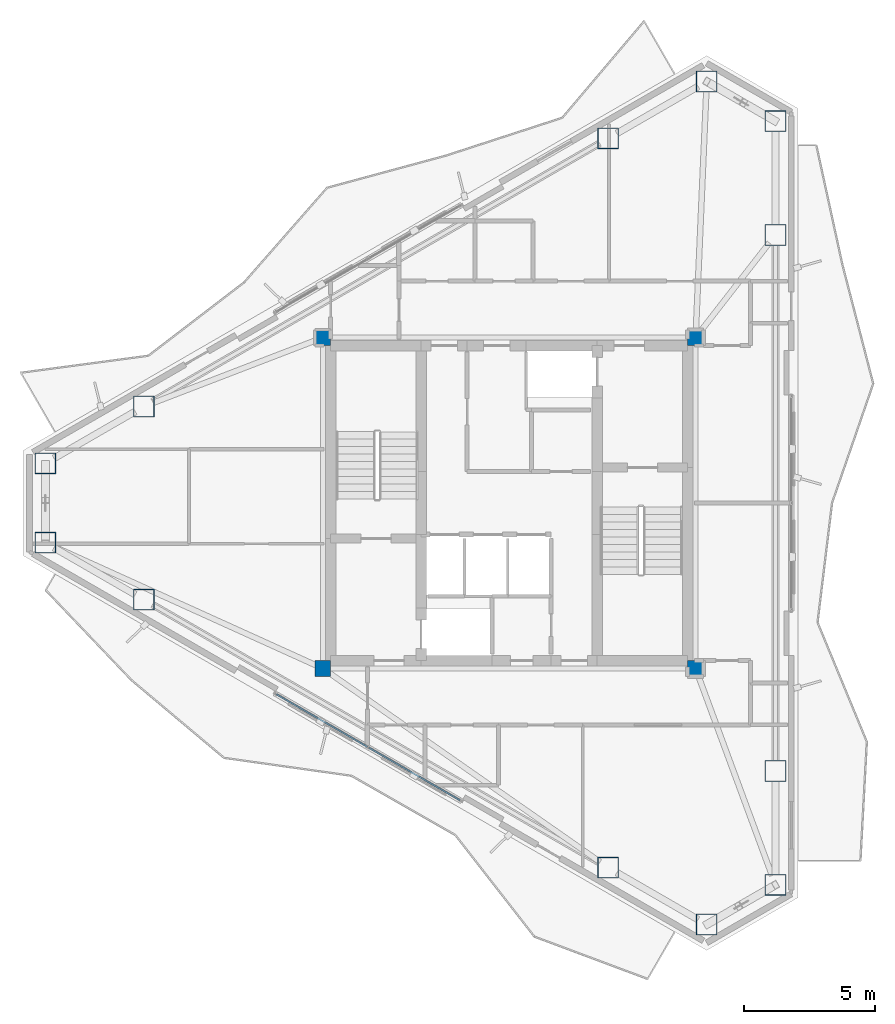
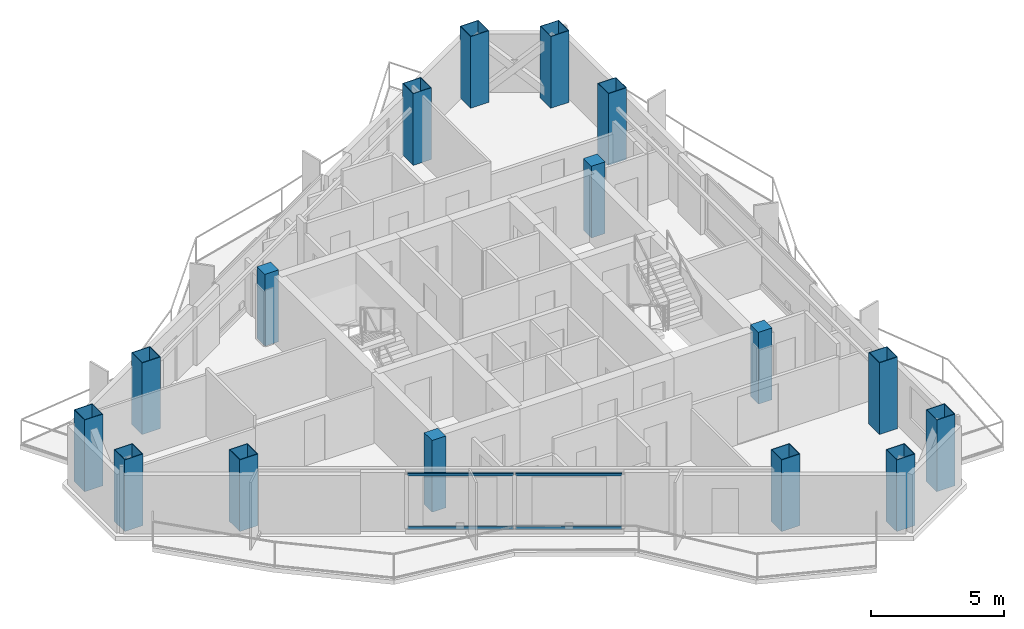
# One storey, part 1 of 18: 16 columns, 4 members, 1 element without a shape of its own.
"""IFC4 building model written with IfcOpenShell, lengths in metres."""

from ifc_helpers import new_model, si_unit, direction, frame, origin, origin_2d, place, context, subcontext, project, spatial, rectangle, hollow_rectangle, extrude, material, layer, layer_set, material_profile, profile_set, type_object, element, aggregate, save


model = new_model("IFC4")

# Units and contexts
model_context = context("Model", 3, precision=1e-05, world=origin(), true_north=direction((0.0, 1.0)))
body_context = subcontext(model_context, "Body", "Model", "MODEL_VIEW")
ifc_project = project(units=[si_unit("LENGTHUNIT", "METRE"), si_unit("AREAUNIT", "SQUARE_METRE"), si_unit("VOLUMEUNIT", "CUBIC_METRE"), si_unit("PLANEANGLEUNIT", "RADIAN"), si_unit("MASSUNIT", "GRAM", prefix="KILO")], contexts=[model_context])

# Site, building, storey
site_placement = place(None, origin())
site = spatial("IfcSite", under=ifc_project, at=site_placement, CompositionType="ELEMENT")
building_placement = place(site_placement, origin())
building = spatial("IfcBuilding", under=site, at=building_placement, Name="Mersakhor Tower and Convention Hall", CompositionType="ELEMENT")
storey_placement = place(building_placement, frame((0.0, 0.0, 239.699951171875)))
storey = spatial("IfcBuildingStorey", under=building, at=storey_placement, Name="L67", CompositionType="ELEMENT", Elevation=239.699951171875)

# Columns
ifc_material_1 = material(Name="Concrete C50/60 in S460M steel box", Category="concrete")
ifc_material_profile_1 = material_profile(ifc_material_1, hollow_rectangle(XDim=0.800048828125, YDim=0.800048828125, WallThickness=0.02490234375, at=origin_2d()), Name="SHS 800x800x25")
ifc_profile_set_1 = profile_set([ifc_material_profile_1], Name="Concrete C50/60 in S460M steel box")
column_type_1 = type_object("IfcColumnType", Name="COL-CFT-800", PredefinedType="COLUMN", material=ifc_profile_set_1)
for number, where, z_axis, x_axis, name in (
    (1, (11.33203125, 28.26123046875, 0.0), (0.0, 0.0, 1.0), (1.0, 0.0, 0.0), "L67 Perimeter Mega-Column MC-01"),
    (2, (15.085693359375, 30.428466796875, 0.0), (0.0, 0.0, 1.0), (1.0, 0.0, 0.0), "L67 Perimeter Mega-Column MC-02"),
    (3, (32.771484375, 40.639404296875, 0.0), (0.0, 0.0, 1.0), (1.0, 0.0, 0.0), "L67 Perimeter Mega-Column MC-03"),
    (4, (36.525146484375, 42.806640625, 0.0), (0.0, 0.0, 1.0), (1.0, 0.0, 0.0), "L67 Perimeter Mega-Column MC-04"),
    (5, (39.142822265625, 41.29541015625, 0.0), (0.0, 0.0, 1.0), (1.0, 0.0, 0.0), "L67 Perimeter Mega-Column MC-05"),
    (6, (39.142822265625, 36.960693359375, 0.0), (0.0, 0.0, 1.0), (1.0, 0.0, 0.0), "L67 Perimeter Mega-Column MC-06"),
    (7, (39.142822265625, 16.539306640625, 0.0), (0.0, 0.0, 1.0), (1.0, 0.0, 0.0), "L67 Perimeter Mega-Column MC-07"),
    (8, (39.142822265625, 12.20458984375, 0.0), (0.0, 0.0, 1.0), (1.0, 0.0, 0.0), "L67 Perimeter Mega-Column MC-08"),
    (9, (36.525146484375, 10.693359375, 0.0), (0.0, 0.0, 1.0), (1.0, 0.0, 0.0), "L67 Perimeter Mega-Column MC-09"),
    (10, (32.771484375, 12.860595703125, 0.0), (0.0, 0.0, 1.0), (1.0, 0.0, 0.0), "L67 Perimeter Mega-Column MC-10"),
    (11, (15.085693359375, 23.071533203125, 0.0), (0.0, 0.0, 1.0), (1.0, 0.0, 0.0), "L67 Perimeter Mega-Column MC-11"),
    (12, (11.33203125, 25.23876953125, 0.0), (0.0, 0.0, 1.0), (1.0, 0.0, 0.0), "L67 Perimeter Mega-Column MC-12"),
):
    element("IfcColumn", number, at=place(storey_placement, frame(where, z_axis=z_axis, x_axis=x_axis)), inside=storey, type_object=column_type_1, Name=name, PredefinedType="COLUMN", context=body_context, shape_type="SweptSolid", body=[
        extrude(hollow_rectangle(XDim=0.800048828125, YDim=0.800048828125, WallThickness=0.02490234375, at=origin_2d()), origin(), (0.0, 0.0, 1.0), 3.300048828125),
    ])
ifc_material_2 = material(Name="Concrete C50/60", Category="concrete")
ifc_material_profile_2 = material_profile(ifc_material_2, rectangle(XDim=0.60009765625, YDim=0.60009765625, at=origin_2d()), Name="RC 600x600")
ifc_profile_set_2 = profile_set([ifc_material_profile_2], Name="Concrete C50/60")
column_type_2 = type_object("IfcColumnType", Name="COL-RC-600", PredefinedType="COLUMN", material=ifc_profile_set_2)
for number, where, z_axis, x_axis, name in (
    (13, (21.89990234375, 20.449951171875, 0.0), (0.0, 0.0, 1.0), (1.0, 0.0, 0.0), "L67 Core Corner Column CC-1"),
    (14, (21.89990234375, 33.050048828125, 0.0), (0.0, 0.0, 1.0), (1.0, 0.0, 0.0), "L67 Core Corner Column CC-2"),
    (15, (36.10009765625, 33.050048828125, 0.0), (0.0, 0.0, 1.0), (1.0, 0.0, 0.0), "L67 Core Corner Column CC-3"),
    (16, (36.10009765625, 20.449951171875, 0.0), (0.0, 0.0, 1.0), (1.0, 0.0, 0.0), "L67 Core Corner Column CC-4"),
):
    element("IfcColumn", number, at=place(storey_placement, frame(where, z_axis=z_axis, x_axis=x_axis)), inside=storey, type_object=column_type_2, Name=name, PredefinedType="COLUMN", context=body_context, shape_type="SweptSolid", body=[
        extrude(rectangle(XDim=0.60009765625, YDim=0.60009765625, at=origin_2d()), origin(), (0.0, 0.0, 1.0), 3.300048828125),
    ])

# Curtain wall, members
ifc_material_3 = material(Name="Dark solar low-E aluminium curtain wall", Category="aluminium")
ifc_layer = layer(ifc_material_3, 0.179931640625)
ifc_layer_set = layer_set([ifc_layer], Name="Dark solar low-E aluminium curtain wall")
curtain_wall_type = type_object("IfcCurtainWallType", Name="CW-SYS-03", PredefinedType="USERDEFINED", material=ifc_layer_set)
curtain_wall_placement = place(storey_placement, origin())
curtain_wall = element("IfcCurtainWall", 17, at=curtain_wall_placement, inside=storey, type_object=curtain_wall_type, Name="L67 Dark-Glass Curtain Wall F3-B2", ObjectType="CURTAIN WALL", PredefinedType="USERDEFINED")
ifc_material_4 = material(Name="Anodised aluminium EN AW-6063 T6", Category="aluminium")
ifc_material_profile_3 = material_profile(ifc_material_4, hollow_rectangle(XDim=0.06005859375, YDim=0.1201171875, WallThickness=0.0048828125, at=origin_2d()), Name="RHS 120x60x5")
ifc_profile_set_3 = profile_set([ifc_material_profile_3], Name="Anodised aluminium EN AW-6063 T6")
member_type = type_object("IfcMemberType", Name="CWT-120x60", PredefinedType="USERDEFINED", material=ifc_profile_set_3)
member_1_placement = place(storey_placement, frame((27.12646484375, 15.427001953125, 0.22998046875), z_axis=(-0.866023018642, 0.500004131166, 0.0), x_axis=(-0.500004131166, -0.866023018642, 0.0)))
member_1 = element("IfcMember", 18, at=member_1_placement, type_object=member_type, Name="CW-03 transom 1.1", ObjectType="TRANSOM", PredefinedType="USERDEFINED", context=body_context, shape_type="SweptSolid", body=[
    extrude(hollow_rectangle(XDim=0.06005859375, YDim=0.1201171875, WallThickness=0.0048828125, at=origin_2d()), origin(), (0.0, 0.0, 1.0), 4.00146484375),
])
member_2_placement = place(storey_placement, frame((27.12646484375, 15.427001953125, 2.670166015625), z_axis=(-0.866023018642, 0.500004131166, 0.0), x_axis=(-0.500004131166, -0.866023018642, 0.0)))
member_2 = element("IfcMember", 19, at=member_2_placement, type_object=member_type, Name="CW-03 transom 1.2", ObjectType="TRANSOM", PredefinedType="USERDEFINED", context=body_context, shape_type="SweptSolid", body=[
    extrude(hollow_rectangle(XDim=0.06005859375, YDim=0.1201171875, WallThickness=0.0048828125, at=origin_2d()), origin(), (0.0, 0.0, 1.0), 4.00146484375),
])
member_3_placement = place(storey_placement, frame((23.59619140625, 17.465087890625, 0.22998046875), z_axis=(-0.866023018642, 0.500004131166, 0.0), x_axis=(-0.500004131166, -0.866023018642, 0.0)))
member_3 = element("IfcMember", 20, at=member_3_placement, type_object=member_type, Name="CW-03 transom 2.1", ObjectType="TRANSOM", PredefinedType="USERDEFINED", context=body_context, shape_type="SweptSolid", body=[
    extrude(hollow_rectangle(XDim=0.06005859375, YDim=0.1201171875, WallThickness=0.0048828125, at=origin_2d()), origin(), (0.0, 0.0, 1.0), 4.00146484375),
])
member_4_placement = place(storey_placement, frame((23.59619140625, 17.465087890625, 2.670166015625), z_axis=(-0.866023018642, 0.500004131166, 0.0), x_axis=(-0.500004131166, -0.866023018642, 0.0)))
member_4 = element("IfcMember", 21, at=member_4_placement, type_object=member_type, Name="CW-03 transom 2.2", ObjectType="TRANSOM", PredefinedType="USERDEFINED", context=body_context, shape_type="SweptSolid", body=[
    extrude(hollow_rectangle(XDim=0.06005859375, YDim=0.1201171875, WallThickness=0.0048828125, at=origin_2d()), origin(), (0.0, 0.0, 1.0), 4.00146484375),
])
aggregate(curtain_wall, [member_1, member_2, member_3, member_4])

save(model, "model.ifc")
